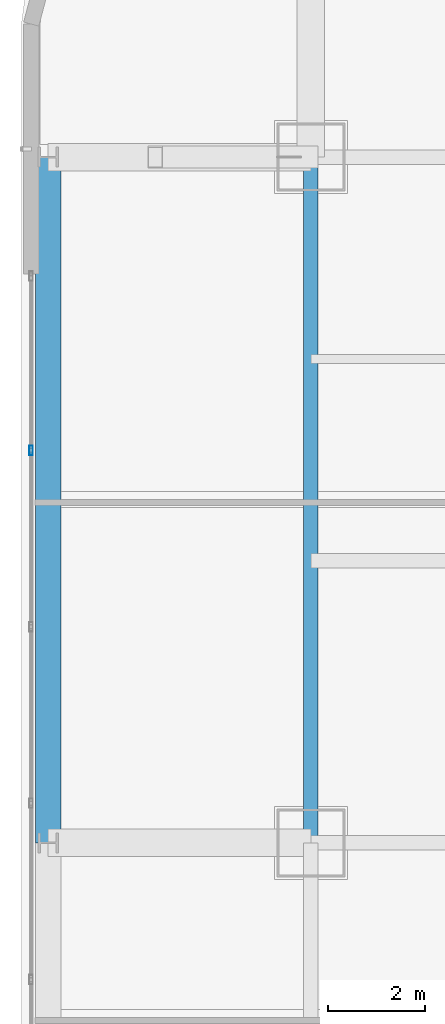
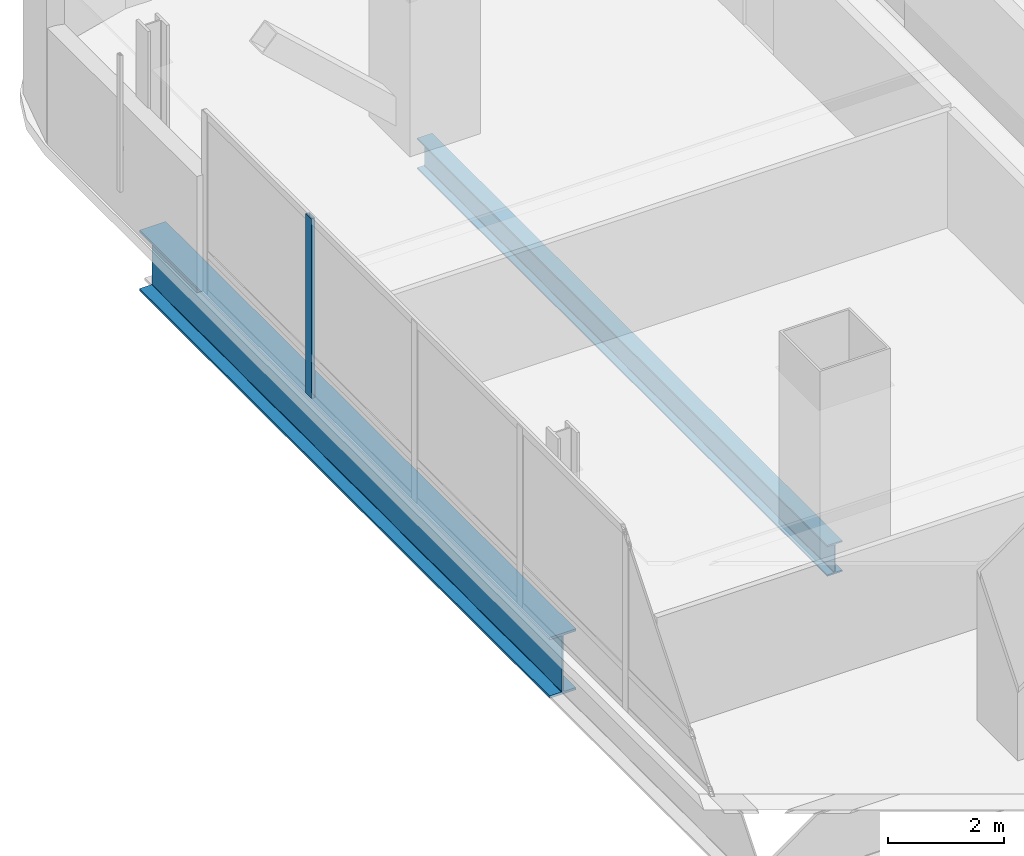
# One storey, part 12 of 47: 2 beams, 1 member, 1 element without a shape of its own.
"""IFC4 building model written with IfcOpenShell, lengths in metres."""

from ifc_helpers import new_model, si_unit, direction, frame, origin, origin_2d, place, context, subcontext, project, spatial, hollow_rectangle, i_section, extrude, material, material_profile, profile_set, type_object, element, aggregate, save


model = new_model("IFC4")

# Units and contexts
model_context = context("Model", 3, precision=1e-05, world=origin(), true_north=direction((0.0, 1.0)))
body_context = subcontext(model_context, "Body", "Model", "MODEL_VIEW")
ifc_project = project(units=[si_unit("LENGTHUNIT", "METRE"), si_unit("AREAUNIT", "SQUARE_METRE"), si_unit("VOLUMEUNIT", "CUBIC_METRE"), si_unit("PLANEANGLEUNIT", "RADIAN"), si_unit("MASSUNIT", "GRAM", prefix="KILO")], contexts=[model_context])

# Site, building, storey
site_placement = place(None, origin())
site = spatial("IfcSite", under=ifc_project, at=site_placement, CompositionType="ELEMENT")
building_placement = place(site_placement, origin())
building = spatial("IfcBuilding", under=site, at=building_placement, Name="Punatoya Terracotta Tower", CompositionType="ELEMENT")
storey_placement = place(building_placement, frame((0.0, 0.0, 168.14990234375)))
storey = spatial("IfcBuildingStorey", under=building, at=storey_placement, Name="L39", CompositionType="ELEMENT", Elevation=168.14990234375)

# Beams
ifc_material_1 = material(Name="Steel S355", Category="steel")
ifc_material_profile_1 = material_profile(ifc_material_1, i_section(OverallWidth=0.300048828125, OverallDepth=0.64990234375, WebThickness=0.01611328125, FlangeThickness=0.031005859375, FilletRadius=0.01806640625, at=origin_2d()))
ifc_profile_set_1 = profile_set([ifc_material_profile_1], Name="Steel S355")
beam_type_1 = type_object("IfcBeamType", Name="BM-PRI-650", PredefinedType="BEAM", material=ifc_profile_set_1)
beam_1_placement = place(storey_placement, frame((-19.10009765625, 3.39990234375, -0.544921875), z_axis=(0.0, 1.0, 0.0), x_axis=(-1.0, 0.0, 0.0)))
element("IfcBeam", 1, at=beam_1_placement, inside=storey, type_object=beam_type_1, Name="BM-L39-RG-W3", PredefinedType="BEAM", context=body_context, shape_type="SweptSolid", body=[
    extrude(i_section(OverallWidth=0.300048828125, OverallDepth=0.64990234375, WebThickness=0.01611328125, FlangeThickness=0.031005859375, FilletRadius=0.01806640625, at=origin_2d()), origin(), (0.0, 0.0, 1.0), 14.10009765625),
])
ifc_material_2 = material(Name="Steel S460", Category="steel")
ifc_material_profile_2 = material_profile(ifc_material_2, i_section(OverallWidth=0.52001953125, OverallDepth=1.280029296875, WebThickness=0.031982421875, FlangeThickness=0.050048828125, FilletRadius=0.01806640625, at=origin_2d()))
ifc_profile_set_2 = profile_set([ifc_material_profile_2], Name="Steel S460")
beam_type_2 = type_object("IfcBeamType", Name="BM-TG-NCK", PredefinedType="BEAM", material=ifc_profile_set_2)
beam_2_placement = place(storey_placement, frame((-24.5, 3.39990234375, -0.85986328125), z_axis=(0.0, 1.0, 0.0), x_axis=(-1.0, 0.0, 0.0)))
element("IfcBeam", 2, at=beam_2_placement, inside=storey, type_object=beam_type_2, Name="BM-L39-PER-W3", PredefinedType="BEAM", context=body_context, shape_type="SweptSolid", body=[
    extrude(i_section(OverallWidth=0.52001953125, OverallDepth=1.280029296875, WebThickness=0.031982421875, FlangeThickness=0.050048828125, FilletRadius=0.01806640625, at=origin_2d()), origin(), (0.0, 0.0, 1.0), 14.10009765625),
])

# Curtain wall, member
ifc_material_3 = material(Name="Aluminium 6063-T6 + Double Low-E Glass", Category="aluminium")
curtain_wall_type = type_object("IfcCurtainWallType", Name="CW-M2", PredefinedType="NOTDEFINED", material=ifc_material_3)
curtain_wall_placement = place(storey_placement, origin())
curtain_wall = element("IfcCurtainWall", 3, at=curtain_wall_placement, inside=storey, type_object=curtain_wall_type, Name="L39 Curtain Wall CW-L39-W13-1", PredefinedType="NOTDEFINED")
ifc_material_4 = material(Name="Aluminium 6063-T6", Category="aluminium")
ifc_material_profile_3 = material_profile(ifc_material_4, hollow_rectangle(XDim=0.072021484375, YDim=0.195068359375, WallThickness=0.00439453125, at=origin_2d()))
ifc_profile_set_3 = profile_set([ifc_material_profile_3], Name="Aluminium 6063-T6")
member_type = type_object("IfcMemberType", Name="CW-MUL-M2", PredefinedType="MULLION", material=ifc_profile_set_3)
member_placement = place(storey_placement, frame((-24.85009765625, 11.471435546875, 0.0), z_axis=(0.0, 0.0, 1.0), x_axis=(1.0, 0.0, 0.0)))
member = element("IfcMember", 4, at=member_placement, type_object=member_type, Name="CW-L39-W13-1 Mullion 01", PredefinedType="MULLION", context=body_context, shape_type="SweptSolid", body=[
    extrude(hollow_rectangle(XDim=0.072021484375, YDim=0.195068359375, WallThickness=0.00439453125, at=origin_2d()), origin(), (0.0, 0.0, 1.0), 3.77001953125),
])
aggregate(curtain_wall, [member])

save(model, "model.ifc")
